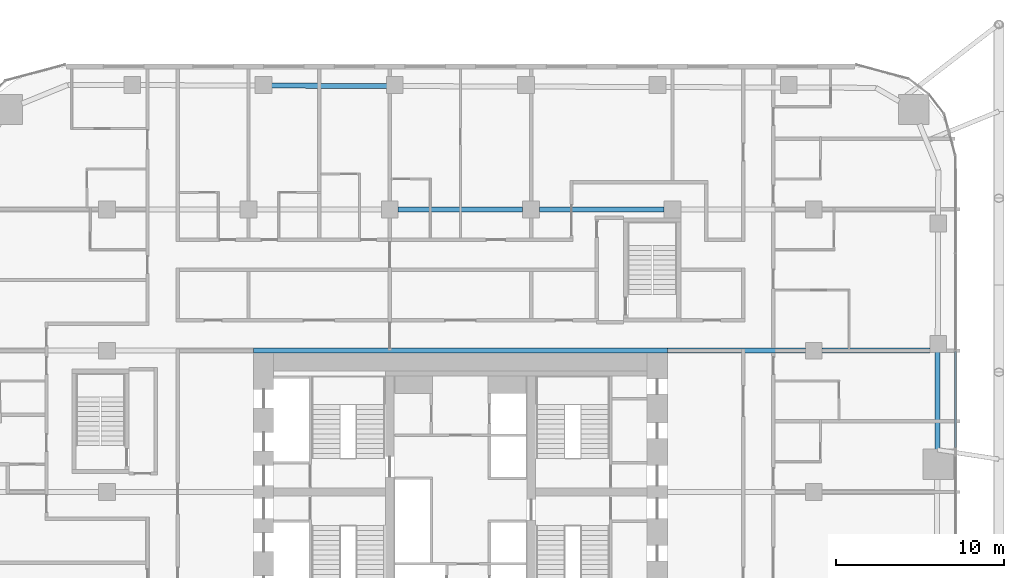
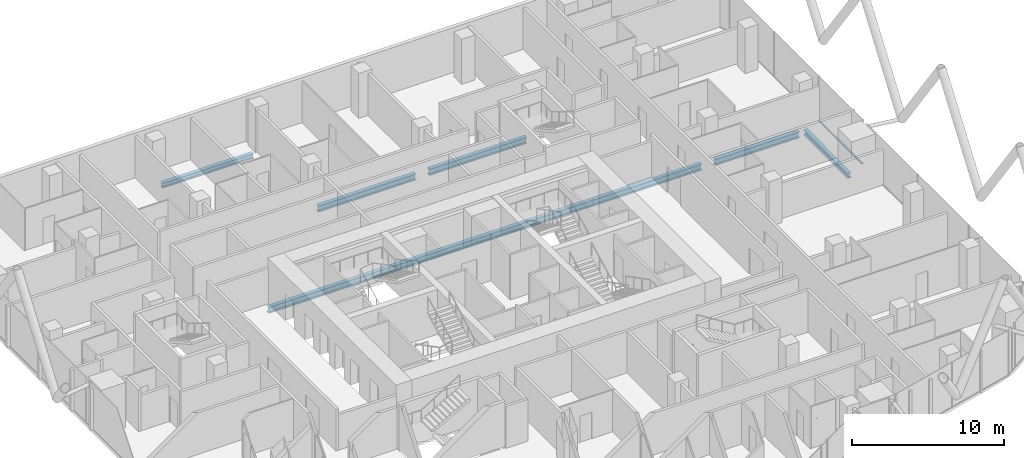
# One storey, part 11 of 38: 7 beams, 1 member, 1 element without a shape of its own.
"""IFC4 building model written with IfcOpenShell, lengths in metres."""

from ifc_helpers import new_model, si_unit, direction, frame, origin, origin_2d, place, context, subcontext, project, spatial, rectangle, i_section, extrude, material, layer, layer_set, material_profile, profile_set, type_object, element, aggregate, save


model = new_model("IFC4")

# Units and contexts
model_context = context("Model", 3, precision=1e-05, world=origin(), true_north=direction((0.0, 1.0)))
body_context = subcontext(model_context, "Body", "Model", "MODEL_VIEW")
ifc_project = project(units=[si_unit("LENGTHUNIT", "METRE"), si_unit("AREAUNIT", "SQUARE_METRE"), si_unit("VOLUMEUNIT", "CUBIC_METRE"), si_unit("PLANEANGLEUNIT", "RADIAN"), si_unit("MASSUNIT", "GRAM", prefix="KILO")], contexts=[model_context])

# Site, building, storey
site_placement = place(None, origin())
site = spatial("IfcSite", under=ifc_project, at=site_placement, CompositionType="ELEMENT")
building_placement = place(site_placement, origin())
building = spatial("IfcBuilding", under=site, at=building_placement, Name="Marenta Gate Hotel Tower", CompositionType="ELEMENT")
storey_placement = place(building_placement, frame((0.0, 0.0, 40.10009765625)))
storey = spatial("IfcBuildingStorey", under=building, at=storey_placement, Name="L07", CompositionType="ELEMENT", Elevation=40.10009765625)

# Beams
ifc_material_1 = material(Name="Steel S355", Category="steel")
ifc_material_profile_1 = material_profile(ifc_material_1, i_section(OverallWidth=0.300048828125, OverallDepth=0.39990234375, WebThickness=0.013427734375, FlangeThickness=0.02392578125, FilletRadius=0.027099609375, at=origin_2d()), Name="HEB 400")
ifc_profile_set_1 = profile_set([ifc_material_profile_1], Name="Steel S355")
beam_type_1 = type_object("IfcBeamType", Name="Edge beam HEB 400", PredefinedType="SPANDREL", material=ifc_profile_set_1)
beam_1_placement = place(storey_placement, frame((-11.244140625, 32.554931640625, -0.460205078125), z_axis=(0.999993064268, -0.003724435008, 0.0), x_axis=(0.003724435008, 0.999993064268, 0.0)))
element("IfcBeam", 1, at=beam_1_placement, inside=storey, type_object=beam_type_1, Name="L07-EB-15", PredefinedType="SPANDREL", context=body_context, shape_type="SweptSolid", body=[
    extrude(i_section(OverallWidth=0.300048828125, OverallDepth=0.39990234375, WebThickness=0.013427734375, FlangeThickness=0.02392578125, FilletRadius=0.027099609375, at=origin_2d()), origin(), (0.0, 0.0, 1.0), 6.8828125),
])
beam_2_placement = place(storey_placement, frame((28.364013671875, 16.7431640625, -0.460205078125), z_axis=(-0.003306389661, -0.999994533879, 0.0), x_axis=(0.999994533879, -0.003306389661, 0.0)))
element("IfcBeam", 2, at=beam_2_placement, inside=storey, type_object=beam_type_1, Name="L07-EB-24", PredefinedType="SPANDREL", context=body_context, shape_type="SweptSolid", body=[
    extrude(i_section(OverallWidth=0.300048828125, OverallDepth=0.39990234375, WebThickness=0.013427734375, FlangeThickness=0.02392578125, FilletRadius=0.027099609375, at=origin_2d()), origin(), (0.0, 0.0, 1.0), 5.833251953125),
])
ifc_material_2 = material(Name="Steel S355", Category="steel")
ifc_material_profile_2 = material_profile(ifc_material_2, i_section(OverallWidth=0.300048828125, OverallDepth=0.5, WebThickness=0.014404296875, FlangeThickness=0.028076171875, FilletRadius=0.027099609375, at=origin_2d()), Name="HEB 500")
ifc_profile_set_2 = profile_set([ifc_material_profile_2], Name="Steel S355")
beam_type_2 = type_object("IfcBeamType", Name="Girder HEB 500", PredefinedType="BEAM", material=ifc_profile_set_2)
beam_3_placement = place(storey_placement, frame((-12.300048828125, 16.800048828125, -0.510009765625), z_axis=(1.0, 0.0, 0.0), x_axis=(0.0, 1.0, 0.0)))
element("IfcBeam", 3, at=beam_3_placement, inside=storey, type_object=beam_type_2, Name="L07-GD-19", PredefinedType="BEAM", context=body_context, shape_type="SweptSolid", body=[
    extrude(i_section(OverallWidth=0.300048828125, OverallDepth=0.5, WebThickness=0.014404296875, FlangeThickness=0.028076171875, FilletRadius=0.027099609375, at=origin_2d()), origin(), (0.0, 0.0, 1.0), 24.60009765625),
])
beam_4_placement = place(storey_placement, frame((12.300048828125, 16.800048828125, -0.510009765625), z_axis=(1.0, 0.0, 0.0), x_axis=(0.0, 1.0, 0.0)))
element("IfcBeam", 4, at=beam_4_placement, inside=storey, type_object=beam_type_2, Name="L07-GD-20", PredefinedType="BEAM", context=body_context, shape_type="SweptSolid", body=[
    extrude(i_section(OverallWidth=0.300048828125, OverallDepth=0.5, WebThickness=0.014404296875, FlangeThickness=0.028076171875, FilletRadius=0.027099609375, at=origin_2d()), origin(), (0.0, 0.0, 1.0), 8.199951171875),
])
beam_5_placement = place(storey_placement, frame((21.5, 16.800048828125, -0.510009765625), z_axis=(1.0, 0.0, 0.0), x_axis=(0.0, 1.0, 0.0)))
element("IfcBeam", 5, at=beam_5_placement, inside=storey, type_object=beam_type_2, Name="L07-GD-21", PredefinedType="BEAM", context=body_context, shape_type="SweptSolid", body=[
    extrude(i_section(OverallWidth=0.300048828125, OverallDepth=0.5, WebThickness=0.014404296875, FlangeThickness=0.028076171875, FilletRadius=0.027099609375, at=origin_2d()), origin(), (0.0, 0.0, 1.0), 6.39990234375),
])
beam_6_placement = place(storey_placement, frame((-3.699951171875, 25.199951171875, -0.510009765625), z_axis=(1.0, 0.0, 0.0), x_axis=(0.0, 1.0, 0.0)))
element("IfcBeam", 6, at=beam_6_placement, inside=storey, type_object=beam_type_2, Name="L07-GD-25", PredefinedType="BEAM", context=body_context, shape_type="SweptSolid", body=[
    extrude(i_section(OverallWidth=0.300048828125, OverallDepth=0.5, WebThickness=0.014404296875, FlangeThickness=0.028076171875, FilletRadius=0.027099609375, at=origin_2d()), origin(), (0.0, 0.0, 1.0), 7.39990234375),
])
beam_7_placement = place(storey_placement, frame((4.699951171875, 25.199951171875, -0.510009765625), z_axis=(1.0, 0.0, 0.0), x_axis=(0.0, 1.0, 0.0)))
element("IfcBeam", 7, at=beam_7_placement, inside=storey, type_object=beam_type_2, Name="L07-GD-26", PredefinedType="BEAM", context=body_context, shape_type="SweptSolid", body=[
    extrude(i_section(OverallWidth=0.300048828125, OverallDepth=0.5, WebThickness=0.014404296875, FlangeThickness=0.028076171875, FilletRadius=0.027099609375, at=origin_2d()), origin(), (0.0, 0.0, 1.0), 7.400146484375),
])

# Curtain wall, member
ifc_material_3 = material(Name="Tinted insulated glass in bronze anodised frame", Category="glass")
ifc_layer = layer(ifc_material_3, 0.1201171875)
ifc_layer_set = layer_set([ifc_layer], Name="Tinted insulated glass in bronze anodised frame")
curtain_wall_type = type_object("IfcCurtainWallType", Name="Tower unitised curtain wall CW1", PredefinedType="NOTDEFINED", material=ifc_layer_set)
curtain_wall_placement = place(storey_placement, origin())
curtain_wall = element("IfcCurtainWall", 8, at=curtain_wall_placement, inside=storey, type_object=curtain_wall_type, Name="CW1 run G34", PredefinedType="NOTDEFINED")
ifc_material_4 = material(Name="Bronze anodised aluminium", Category="aluminium")
ifc_material_profile_3 = material_profile(ifc_material_4, rectangle(XDim=0.1201171875, YDim=0.06005859375, at=origin_2d()), Name="Transom CW1 60x120 bronze anodised aluminium")
ifc_profile_set_3 = profile_set([ifc_material_profile_3], Name="Bronze anodised aluminium")
member_type = type_object("IfcMemberType", Name="Transom CW1 60x120 bronze anodised aluminium", PredefinedType="USERDEFINED", material=ifc_profile_set_3)
member_placement = place(storey_placement, frame((29.4140625, 11.035400390625, 0.02978515625), z_axis=(0.0, 1.0, 0.0), x_axis=(-1.0, 0.0, 0.0)))
member = element("IfcMember", 9, at=member_placement, type_object=member_type, Name="CW1 transom 1.1", ObjectType="TRANSOM", PredefinedType="USERDEFINED", context=body_context, shape_type="SweptSolid", body=[
    extrude(rectangle(XDim=0.1201171875, YDim=0.06005859375, at=origin_2d()), origin(), (0.0, 0.0, 1.0), 5.71533203125),
])
aggregate(curtain_wall, [member])

save(model, "model.ifc")
